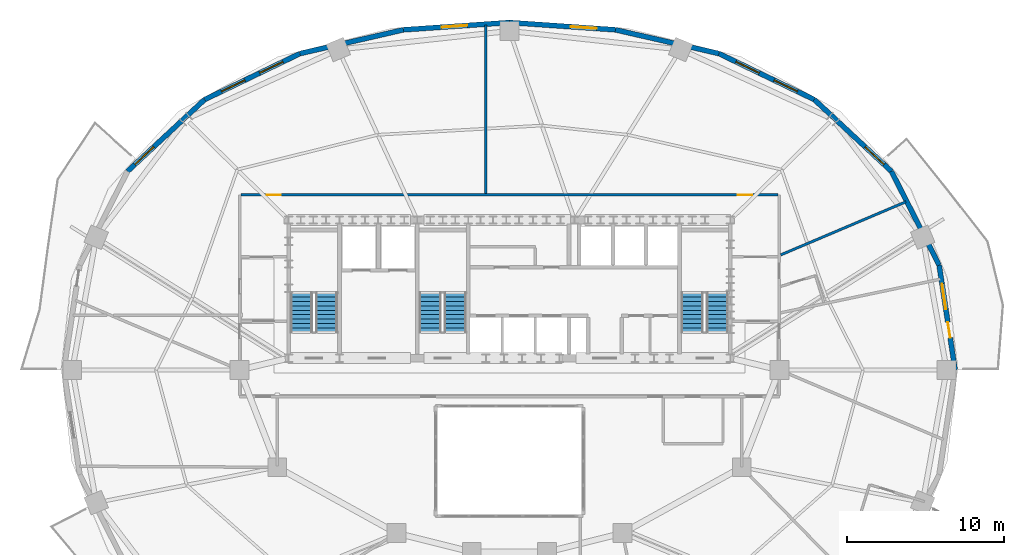
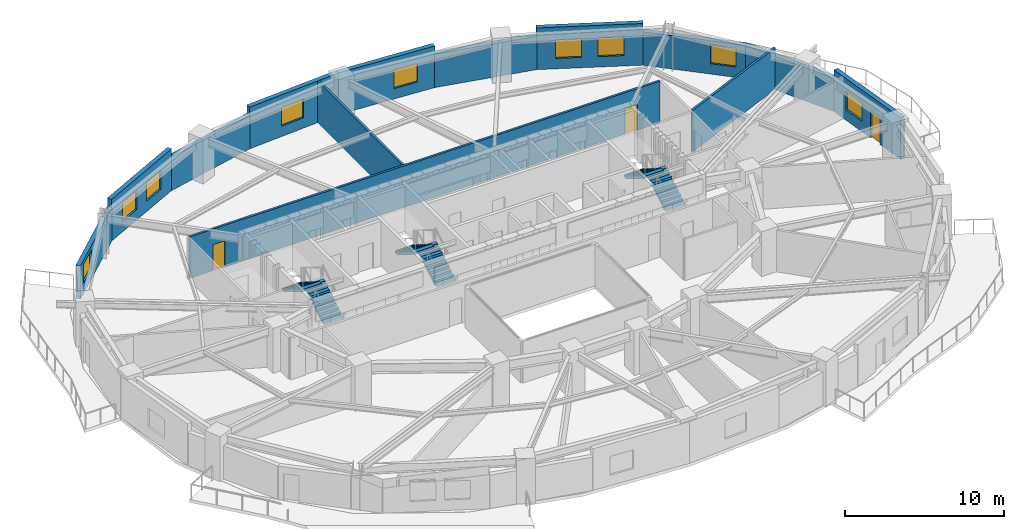
# One storey, part 9 of 12: 13 walls, 9 windows, 6 stair flights, 3 doors, 12 openings, 3 elements without a shape of their own.
"""IFC4 building model written with IfcOpenShell, lengths in metres."""

from ifc_helpers import new_model, si_unit, direction, frame, frame_2d, origin, place, context, subcontext, project, spatial, polyline, rectangle, outline, extrude, material, layer, layer_set, type_object, element, fill, aggregate, save


model = new_model("IFC4")

# Units and contexts
model_context = context("Model", 3, precision=1e-05, world=origin(), true_north=direction((0.0, 1.0)))
body_context = subcontext(model_context, "Body", "Model", "MODEL_VIEW")
ifc_project = project(units=[si_unit("LENGTHUNIT", "METRE"), si_unit("AREAUNIT", "SQUARE_METRE"), si_unit("VOLUMEUNIT", "CUBIC_METRE"), si_unit("PLANEANGLEUNIT", "RADIAN"), si_unit("MASSUNIT", "GRAM", prefix="KILO")], contexts=[model_context])

# Site, building, storey
site_placement = place(None, origin())
site = spatial("IfcSite", under=ifc_project, at=site_placement, CompositionType="ELEMENT")
building_placement = place(site_placement, origin())
building = spatial("IfcBuilding", under=site, at=building_placement, Name="Haldorwick Loom Tower", CompositionType="ELEMENT")
storey_placement = place(building_placement, frame((0.0, 0.0, 113.89990234375)))
storey = spatial("IfcBuildingStorey", under=building, at=storey_placement, Name="L30", CompositionType="ELEMENT", Elevation=113.89990234375)

# Wall, openings, door, window
ifc_material_1 = material(Name="Pressed Clay Face Brick and Insulated Masonry Backup Assembly", Category="masonry")
ifc_layer_1 = layer(ifc_material_1, 0.320068359375, Name="Pressed Clay Face Brick and Insulated Masonry Backup Assembly", Category="masonry")
ifc_layer_set_1 = layer_set([ifc_layer_1], Name="Pressed Clay Face Brick and Insulated Masonry Backup Assembly")
wall_type_1 = type_object("IfcWallType", Name="ARC-WL-EXT320", PredefinedType="STANDARD", material=ifc_layer_set_1)
wall_1_placement = place(storey_placement, frame((64.397705078125, 26.0, 0.0), z_axis=(0.0, 0.0, 1.0), x_axis=(-0.150633288003, 0.988589708901, 0.0)))
wall_1 = element("IfcWall", 1, at=wall_1_placement, inside=storey, type_object=wall_type_1, Name="L30 Brick Pier and Spandrel Wall 1", PredefinedType="STANDARD", context=body_context, shape_type="SweptSolid", body=[
    extrude(rectangle(XDim=6.752197265625, YDim=0.320068359375, at=frame_2d((3.3759765625, 0.0))), origin(), (0.0, 0.0, 1.0), 3.210205078125),
])
opening_1_placement = place(wall_1_placement, frame((2.070556640625, 0.0, 0.0)))
opening_1 = element("IfcOpeningElement", 2, at=opening_1_placement, cuts=wall_1, Name="Opening D-BL10", PredefinedType="OPENING", context=body_context, shape_type="SweptSolid", body=[
    extrude(rectangle(XDim=1.0, YDim=2.0400390625, at=frame_2d((0.5, 1.02001953125))), frame((0.0, 0.169921875, 0.0), z_axis=(0.0, -1.0, 0.0), x_axis=(1.0, 0.0, 0.0)), (0.0, 0.0, 1.0), 0.340087890625),
])
opening_2_placement = place(wall_1_placement, frame((3.9013671875, 0.0, 0.800048828125)))
opening_2 = element("IfcOpeningElement", 3, at=opening_2_placement, cuts=wall_1, Name="Opening W-01B", PredefinedType="OPENING", context=body_context, shape_type="SweptSolid", body=[
    extrude(rectangle(XDim=1.64990234375, YDim=1.449951171875, at=frame_2d((0.824951171875, 0.72509765625))), frame((0.0, 0.169921875, 0.0), z_axis=(0.0, -1.0, 0.0), x_axis=(1.0, 0.0, 0.0)), (0.0, 0.0, 1.0), 0.340087890625),
])
ifc_material_2 = material(Name="Thermally Broken Anodized Aluminium Curtain Wall Framing", Category="aluminium")
door_type_1 = type_object("IfcDoorType", Name="ARC-DR-BAL100", OperationType="NOTDEFINED", PredefinedType="DOOR", material=ifc_material_2)
door_1_placement = place(opening_1_placement, origin())
door_1 = element("IfcDoor", 4, at=door_1_placement, inside=storey, type_object=door_type_1, Name="L30 Outdoor Terrace Door SLB-L30-BAL_ENE", OperationType="SINGLE_SWING_RIGHT", OverallHeight=2.0400390625, OverallWidth=1.0, PredefinedType="DOOR", context=body_context, shape_type="SweptSolid", body=[
    extrude(rectangle(XDim=1.0, YDim=2.0400390625, at=frame_2d((0.5, 1.02001953125))), frame((0.0, 0.02490234375, 0.0), z_axis=(0.0, -1.0, 0.0), x_axis=(1.0, 0.0, 0.0)), (0.0, 0.0, 1.0), 0.050048828125),
])
fill(opening_1, door_1)
ifc_material_3 = material(Name="Triple-Glazed Low-E Argon Insulated Glazing Unit", Category="glass")
window_type = type_object("IfcWindowType", Name="ARC-WIN-W165", PartitioningType="SINGLE_PANEL", PredefinedType="WINDOW", material=ifc_material_3)
window_1_placement = place(opening_2_placement, origin())
window_1 = element("IfcWindow", 5, at=window_1_placement, inside=storey, type_object=window_type, Name="L30 Deep-Set Zone 7A Window 1", OverallHeight=1.449951171875, OverallWidth=1.64990234375, PartitioningType="SINGLE_PANEL", PredefinedType="WINDOW", context=body_context, shape_type="SweptSolid", body=[
    extrude(rectangle(XDim=1.64990234375, YDim=1.449951171875, at=frame_2d((0.824951171875, 0.72509765625))), frame((0.0, 0.030029296875, 0.0), z_axis=(0.0, -1.0, 0.0), x_axis=(1.0, 0.0, 0.0)), (0.0, 0.0, 1.0), 0.06005859375),
])
fill(opening_2, window_1)

# Wall
wall_2_placement = place(storey_placement, frame((63.380615234375, 32.675048828125, 0.0), z_axis=(0.0, 0.0, 1.0), x_axis=(-0.453374078001, 0.89132033826, 0.0)))
element("IfcWall", 6, at=wall_2_placement, inside=storey, type_object=wall_type_1, Name="L30 Brick Pier and Spandrel Wall 2", PredefinedType="STANDARD", context=body_context, shape_type="SweptSolid", body=[
    extrude(rectangle(XDim=6.709716796875, YDim=0.320068359375, at=frame_2d((3.35498046875, 0.0))), origin(), (0.0, 0.0, 1.0), 2.569091796875),
])

# Wall, opening, window
wall_3_placement = place(storey_placement, frame((60.338623046875, 38.655517578125, 0.0), z_axis=(0.0, 0.0, 1.0), x_axis=(-0.732137360086, 0.681157020052, 0.0)))
wall_3 = element("IfcWall", 7, at=wall_3_placement, inside=storey, type_object=wall_type_1, Name="L30 Brick Pier and Spandrel Wall 3", PredefinedType="STANDARD", context=body_context, shape_type="SweptSolid", body=[
    extrude(rectangle(XDim=6.709228515625, YDim=0.320068359375, at=frame_2d((3.3544921875, 0.0))), origin(), (0.0, 0.0, 1.0), 2.569091796875),
])
opening_3_placement = place(wall_3_placement, frame((0.639892578125, 0.0, 0.800048828125)))
opening_3 = element("IfcOpeningElement", 8, at=opening_3_placement, cuts=wall_3, Name="Opening W-01B", PredefinedType="OPENING", context=body_context, shape_type="SweptSolid", body=[
    extrude(rectangle(XDim=1.64990234375, YDim=1.449951171875, at=frame_2d((0.824951171875, 0.72509765625))), frame((0.0, 0.169921875, 0.0), z_axis=(0.0, -1.0, 0.0), x_axis=(1.0, 0.0, 0.0)), (0.0, 0.0, 1.0), 0.340087890625),
])
window_2_placement = place(opening_3_placement, origin())
window_2 = element("IfcWindow", 9, at=window_2_placement, inside=storey, type_object=window_type, Name="L30 Deep-Set Zone 7A Window 3", OverallHeight=1.449951171875, OverallWidth=1.64990234375, PartitioningType="SINGLE_PANEL", PredefinedType="WINDOW", context=body_context, shape_type="SweptSolid", body=[
    extrude(rectangle(XDim=1.64990234375, YDim=1.449951171875, at=frame_2d((0.824951171875, 0.72509765625))), frame((0.0, 0.030029296875, 0.0), z_axis=(0.0, -1.0, 0.0), x_axis=(1.0, 0.0, 0.0)), (0.0, 0.0, 1.0), 0.06005859375),
])
fill(opening_3, window_2)

# Wall, openings, windows
wall_4_placement = place(storey_placement, frame((55.426513671875, 43.2255859375, 0.0), z_axis=(0.0, 0.0, 1.0), x_axis=(-0.900510094661, 0.434835106004, 0.0)))
wall_4 = element("IfcWall", 10, at=wall_4_placement, inside=storey, type_object=wall_type_1, Name="L30 Brick Pier and Spandrel Wall 4", PredefinedType="STANDARD", context=body_context, shape_type="SweptSolid", body=[
    extrude(rectangle(XDim=6.744873046875, YDim=0.320068359375, at=frame_2d((3.37255859375, 0.0))), origin(), (0.0, 0.0, 1.0), 3.210205078125),
])
opening_4_placement = place(wall_4_placement, frame((1.198486328125, 0.0, 0.800048828125)))
opening_4 = element("IfcOpeningElement", 11, at=opening_4_placement, cuts=wall_4, Name="Opening W-01B", PredefinedType="OPENING", context=body_context, shape_type="SweptSolid", body=[
    extrude(rectangle(XDim=1.64990234375, YDim=1.449951171875, at=frame_2d((0.824951171875, 0.72509765625))), frame((0.0, 0.169921875, 0.0), z_axis=(0.0, -1.0, 0.0), x_axis=(1.0, 0.0, 0.0)), (0.0, 0.0, 1.0), 0.340087890625),
])
opening_5_placement = place(wall_4_placement, frame((3.896484375, 0.0, 0.800048828125)))
opening_5 = element("IfcOpeningElement", 12, at=opening_5_placement, cuts=wall_4, Name="Opening W-01B", PredefinedType="OPENING", context=body_context, shape_type="SweptSolid", body=[
    extrude(rectangle(XDim=1.64990234375, YDim=1.449951171875, at=frame_2d((0.824951171875, 0.72509765625))), frame((0.0, 0.169921875, 0.0), z_axis=(0.0, -1.0, 0.0), x_axis=(1.0, 0.0, 0.0)), (0.0, 0.0, 1.0), 0.340087890625),
])
window_3_placement = place(opening_4_placement, origin())
window_3 = element("IfcWindow", 13, at=window_3_placement, inside=storey, type_object=window_type, Name="L30 Deep-Set Zone 7A Window 4", OverallHeight=1.449951171875, OverallWidth=1.64990234375, PartitioningType="SINGLE_PANEL", PredefinedType="WINDOW", context=body_context, shape_type="SweptSolid", body=[
    extrude(rectangle(XDim=1.64990234375, YDim=1.449951171875, at=frame_2d((0.824951171875, 0.72509765625))), frame((0.0, 0.030029296875, 0.0), z_axis=(0.0, -1.0, 0.0), x_axis=(1.0, 0.0, 0.0)), (0.0, 0.0, 1.0), 0.06005859375),
])
fill(opening_4, window_3)
window_4_placement = place(opening_5_placement, origin())
window_4 = element("IfcWindow", 14, at=window_4_placement, inside=storey, type_object=window_type, Name="L30 Deep-Set Zone 7A Window 4", OverallHeight=1.449951171875, OverallWidth=1.64990234375, PartitioningType="SINGLE_PANEL", PredefinedType="WINDOW", context=body_context, shape_type="SweptSolid", body=[
    extrude(rectangle(XDim=1.64990234375, YDim=1.449951171875, at=frame_2d((0.824951171875, 0.72509765625))), frame((0.0, 0.030029296875, 0.0), z_axis=(0.0, -1.0, 0.0), x_axis=(1.0, 0.0, 0.0)), (0.0, 0.0, 1.0), 0.06005859375),
])
fill(opening_5, window_4)

# Wall
wall_5_placement = place(storey_placement, frame((49.352783203125, 46.158447265625, 0.0), z_axis=(0.0, 0.0, 1.0), x_axis=(-0.974584177714, 0.224021607329, 0.0)))
element("IfcWall", 15, at=wall_5_placement, inside=storey, type_object=wall_type_1, Name="L30 Brick Pier and Spandrel Wall 5", PredefinedType="STANDARD", context=body_context, shape_type="SweptSolid", body=[
    extrude(rectangle(XDim=6.767822265625, YDim=0.320068359375, at=frame_2d((3.3837890625, 0.0))), origin(), (0.0, 0.0, 1.0), 2.569091796875),
])

# Wall, opening, window
wall_6_placement = place(storey_placement, frame((42.757080078125, 47.674560546875, 0.0), z_axis=(0.0, 0.0, 1.0), x_axis=(-0.997651949344, 0.068487867318, 0.0)))
wall_6 = element("IfcWall", 16, at=wall_6_placement, inside=storey, type_object=wall_type_1, Name="L30 Brick Pier and Spandrel Wall 6", PredefinedType="STANDARD", context=body_context, shape_type="SweptSolid", body=[
    extrude(rectangle(XDim=6.77294921875, YDim=0.320068359375, at=frame_2d((3.386474609375, 0.0))), origin(), (0.0, 0.0, 1.0), 3.210205078125),
])
opening_6_placement = place(wall_6_placement, frame((1.206787109375, 0.0, 0.800048828125)))
opening_6 = element("IfcOpeningElement", 17, at=opening_6_placement, cuts=wall_6, Name="Opening W-01B", PredefinedType="OPENING", context=body_context, shape_type="SweptSolid", body=[
    extrude(rectangle(XDim=1.64990234375, YDim=1.449951171875, at=frame_2d((0.824951171875, 0.72509765625))), frame((0.0, 0.169921875, 0.0), z_axis=(0.0, -1.0, 0.0), x_axis=(1.0, 0.0, 0.0)), (0.0, 0.0, 1.0), 0.340087890625),
])
window_5_placement = place(opening_6_placement, origin())
window_5 = element("IfcWindow", 18, at=window_5_placement, inside=storey, type_object=window_type, Name="L30 Deep-Set Zone 7A Window 6", OverallHeight=1.449951171875, OverallWidth=1.64990234375, PartitioningType="SINGLE_PANEL", PredefinedType="WINDOW", context=body_context, shape_type="SweptSolid", body=[
    extrude(rectangle(XDim=1.64990234375, YDim=1.449951171875, at=frame_2d((0.824951171875, 0.72509765625))), frame((0.0, 0.030029296875, 0.0), z_axis=(0.0, -1.0, 0.0), x_axis=(1.0, 0.0, 0.0)), (0.0, 0.0, 1.0), 0.06005859375),
])
fill(opening_6, window_5)

wall_7_placement = place(storey_placement, frame((36.0, 48.138427734375, 0.0), z_axis=(0.0, 0.0, 1.0), x_axis=(-0.997651949344, -0.068487867318, 0.0)))
wall_7 = element("IfcWall", 19, at=wall_7_placement, inside=storey, type_object=wall_type_1, Name="L30 Brick Pier and Spandrel Wall 7", PredefinedType="STANDARD", context=body_context, shape_type="SweptSolid", body=[
    extrude(rectangle(XDim=6.77294921875, YDim=0.320068359375, at=frame_2d((3.386474609375, 0.0))), origin(), (0.0, 0.0, 1.0), 3.210205078125),
])
opening_7_placement = place(wall_7_placement, frame((2.681640625, 0.0, 0.800048828125)))
opening_7 = element("IfcOpeningElement", 20, at=opening_7_placement, cuts=wall_7, Name="Opening W-01B", PredefinedType="OPENING", context=body_context, shape_type="SweptSolid", body=[
    extrude(rectangle(XDim=1.64990234375, YDim=1.449951171875, at=frame_2d((0.824951171875, 0.72509765625))), frame((0.0, 0.169921875, 0.0), z_axis=(0.0, -1.0, 0.0), x_axis=(1.0, 0.0, 0.0)), (0.0, 0.0, 1.0), 0.340087890625),
])
window_6_placement = place(opening_7_placement, origin())
window_6 = element("IfcWindow", 21, at=window_6_placement, inside=storey, type_object=window_type, Name="L30 Deep-Set Zone 7A Window 7", OverallHeight=1.449951171875, OverallWidth=1.64990234375, PartitioningType="SINGLE_PANEL", PredefinedType="WINDOW", context=body_context, shape_type="SweptSolid", body=[
    extrude(rectangle(XDim=1.64990234375, YDim=1.449951171875, at=frame_2d((0.824951171875, 0.72509765625))), frame((0.0, 0.030029296875, 0.0), z_axis=(0.0, -1.0, 0.0), x_axis=(1.0, 0.0, 0.0)), (0.0, 0.0, 1.0), 0.06005859375),
])
fill(opening_7, window_6)

# Wall
wall_8_placement = place(storey_placement, frame((29.242919921875, 47.674560546875, 0.0), z_axis=(0.0, 0.0, 1.0), x_axis=(-0.974584177714, -0.224021607329, 0.0)))
element("IfcWall", 22, at=wall_8_placement, inside=storey, type_object=wall_type_1, Name="L30 Brick Pier and Spandrel Wall 8", PredefinedType="STANDARD", context=body_context, shape_type="SweptSolid", body=[
    extrude(rectangle(XDim=6.767822265625, YDim=0.320068359375, at=frame_2d((3.3837890625, 0.0))), origin(), (0.0, 0.0, 1.0), 2.569091796875),
])

# Wall, openings, windows
wall_9_placement = place(storey_placement, frame((22.647216796875, 46.158447265625, 0.0), z_axis=(0.0, 0.0, 1.0), x_axis=(-0.900510094661, -0.434835106004, 0.0)))
wall_9 = element("IfcWall", 23, at=wall_9_placement, inside=storey, type_object=wall_type_1, Name="L30 Brick Pier and Spandrel Wall 9", PredefinedType="STANDARD", context=body_context, shape_type="SweptSolid", body=[
    extrude(rectangle(XDim=6.744873046875, YDim=0.320068359375, at=frame_2d((3.37255859375, 0.0))), origin(), (0.0, 0.0, 1.0), 3.210205078125),
])
opening_8_placement = place(wall_9_placement, frame((1.198486328125, 0.0, 0.800048828125)))
opening_8 = element("IfcOpeningElement", 24, at=opening_8_placement, cuts=wall_9, Name="Opening W-01B", PredefinedType="OPENING", context=body_context, shape_type="SweptSolid", body=[
    extrude(rectangle(XDim=1.64990234375, YDim=1.449951171875, at=frame_2d((0.824951171875, 0.72509765625))), frame((0.0, 0.169921875, 0.0), z_axis=(0.0, -1.0, 0.0), x_axis=(1.0, 0.0, 0.0)), (0.0, 0.0, 1.0), 0.340087890625),
])
opening_9_placement = place(wall_9_placement, frame((3.896484375, 0.0, 0.800048828125)))
opening_9 = element("IfcOpeningElement", 25, at=opening_9_placement, cuts=wall_9, Name="Opening W-01B", PredefinedType="OPENING", context=body_context, shape_type="SweptSolid", body=[
    extrude(rectangle(XDim=1.64990234375, YDim=1.449951171875, at=frame_2d((0.824951171875, 0.72509765625))), frame((0.0, 0.169921875, 0.0), z_axis=(0.0, -1.0, 0.0), x_axis=(1.0, 0.0, 0.0)), (0.0, 0.0, 1.0), 0.340087890625),
])
window_7_placement = place(opening_8_placement, origin())
window_7 = element("IfcWindow", 26, at=window_7_placement, inside=storey, type_object=window_type, Name="L30 Deep-Set Zone 7A Window 9", OverallHeight=1.449951171875, OverallWidth=1.64990234375, PartitioningType="SINGLE_PANEL", PredefinedType="WINDOW", context=body_context, shape_type="SweptSolid", body=[
    extrude(rectangle(XDim=1.64990234375, YDim=1.449951171875, at=frame_2d((0.824951171875, 0.72509765625))), frame((0.0, 0.030029296875, 0.0), z_axis=(0.0, -1.0, 0.0), x_axis=(1.0, 0.0, 0.0)), (0.0, 0.0, 1.0), 0.06005859375),
])
fill(opening_8, window_7)
window_8_placement = place(opening_9_placement, origin())
window_8 = element("IfcWindow", 27, at=window_8_placement, inside=storey, type_object=window_type, Name="L30 Deep-Set Zone 7A Window 9", OverallHeight=1.449951171875, OverallWidth=1.64990234375, PartitioningType="SINGLE_PANEL", PredefinedType="WINDOW", context=body_context, shape_type="SweptSolid", body=[
    extrude(rectangle(XDim=1.64990234375, YDim=1.449951171875, at=frame_2d((0.824951171875, 0.72509765625))), frame((0.0, 0.030029296875, 0.0), z_axis=(0.0, -1.0, 0.0), x_axis=(1.0, 0.0, 0.0)), (0.0, 0.0, 1.0), 0.06005859375),
])
fill(opening_9, window_8)

# Wall, opening, window
wall_10_placement = place(storey_placement, frame((16.573486328125, 43.2255859375, 0.0), z_axis=(0.0, 0.0, 1.0), x_axis=(-0.732137360086, -0.681157020052, 0.0)))
wall_10 = element("IfcWall", 28, at=wall_10_placement, inside=storey, type_object=wall_type_1, Name="L30 Brick Pier and Spandrel Wall 10", PredefinedType="STANDARD", context=body_context, shape_type="SweptSolid", body=[
    extrude(rectangle(XDim=6.709228515625, YDim=0.320068359375, at=frame_2d((3.3544921875, 0.0))), origin(), (0.0, 0.0, 1.0), 2.569091796875),
])
opening_10_placement = place(wall_10_placement, frame((4.41943359375, 0.0, 0.800048828125)))
opening_10 = element("IfcOpeningElement", 29, at=opening_10_placement, cuts=wall_10, Name="Opening W-01B", PredefinedType="OPENING", context=body_context, shape_type="SweptSolid", body=[
    extrude(rectangle(XDim=1.64990234375, YDim=1.449951171875, at=frame_2d((0.824951171875, 0.72509765625))), frame((0.0, 0.169921875, 0.0), z_axis=(0.0, -1.0, 0.0), x_axis=(1.0, 0.0, 0.0)), (0.0, 0.0, 1.0), 0.340087890625),
])
window_9_placement = place(opening_10_placement, origin())
window_9 = element("IfcWindow", 30, at=window_9_placement, inside=storey, type_object=window_type, Name="L30 Deep-Set Zone 7A Window 10", OverallHeight=1.449951171875, OverallWidth=1.64990234375, PartitioningType="SINGLE_PANEL", PredefinedType="WINDOW", context=body_context, shape_type="SweptSolid", body=[
    extrude(rectangle(XDim=1.64990234375, YDim=1.449951171875, at=frame_2d((0.824951171875, 0.72509765625))), frame((0.0, 0.030029296875, 0.0), z_axis=(0.0, -1.0, 0.0), x_axis=(1.0, 0.0, 0.0)), (0.0, 0.0, 1.0), 0.06005859375),
])
fill(opening_10, window_9)

# Wall, openings, doors
ifc_material_4 = material(Name="Fire-Rated Type X Gypsum Stud Assembly EI 60")
ifc_layer_2 = layer(ifc_material_4, 0.159912109375, Name="Fire-Rated Type X Gypsum Stud Assembly EI 60")
ifc_layer_set_2 = layer_set([ifc_layer_2], Name="Fire-Rated Type X Gypsum Stud Assembly EI 60")
wall_type_2 = type_object("IfcWallType", Name="ARC-WL-FIRE160", PredefinedType="PARTITIONING", material=ifc_layer_set_2)
wall_11_placement = place(storey_placement, frame((18.883056640625, 37.14990234375, 0.0), z_axis=(0.0, 0.0, 1.0), x_axis=(1.0, 0.0, 0.0)))
wall_11 = element("IfcWall", 31, at=wall_11_placement, inside=storey, type_object=wall_type_2, Name="L30 Residential Fire Partition L30-CR-N0", PredefinedType="PARTITIONING", context=body_context, shape_type="SweptSolid", body=[
    extrude(rectangle(XDim=34.23388671875, YDim=0.159912109375, at=frame_2d((17.116943359375, 0.0))), origin(), (0.0, 0.0, 1.0), 3.195068359375),
])
opening_11_placement = place(wall_11_placement, frame((31.674560546875, 0.0, 0.0)))
opening_11 = element("IfcOpeningElement", 32, at=opening_11_placement, cuts=wall_11, Name="Opening D-FD60A", PredefinedType="OPENING", context=body_context, shape_type="SweptSolid", body=[
    extrude(rectangle(XDim=0.89990234375, YDim=2.0, at=frame_2d((0.449951171875, 1.0))), frame((0.0, 0.08984375, 0.0), z_axis=(0.0, -1.0, 0.0), x_axis=(1.0, 0.0, 0.0)), (0.0, 0.0, 1.0), 0.179931640625),
])
opening_12_placement = place(wall_11_placement, frame((1.659912109375, 0.0, 0.0)))
opening_12 = element("IfcOpeningElement", 33, at=opening_12_placement, cuts=wall_11, Name="Opening D-FD60A", PredefinedType="OPENING", context=body_context, shape_type="SweptSolid", body=[
    extrude(rectangle(XDim=0.89990234375, YDim=2.0, at=frame_2d((0.449951171875, 1.0))), frame((0.0, 0.08984375, 0.0), z_axis=(0.0, -1.0, 0.0), x_axis=(1.0, 0.0, 0.0)), (0.0, 0.0, 1.0), 0.179931640625),
])
ifc_material_5 = material(Name="Hollow Steel Fire Door Assembly", Category="steel")
door_type_2 = type_object("IfcDoorType", Name="ARC-DR-FD60-90", OperationType="NOTDEFINED", PredefinedType="DOOR", material=ifc_material_5)
door_2_placement = place(opening_11_placement, frame((0.89990234375, 0.0, 0.0), z_axis=(0.0, 0.0, 1.0), x_axis=(-1.0, 0.0, 0.0)))
door_2 = element("IfcDoor", 34, at=door_2_placement, inside=storey, type_object=door_type_2, Name="L30 Tenant Seminar Meeting Room 9 to L30 North Residential Corridor Door", OperationType="SINGLE_SWING_RIGHT", OverallHeight=2.0, OverallWidth=0.89990234375, PredefinedType="DOOR", context=body_context, shape_type="SweptSolid", body=[
    extrude(rectangle(XDim=0.89990234375, YDim=2.0, at=frame_2d((0.449951171875, 1.0))), frame((0.0, 0.02490234375, 0.0), z_axis=(0.0, -1.0, 0.0), x_axis=(1.0, 0.0, 0.0)), (0.0, 0.0, 1.0), 0.050048828125),
])
fill(opening_11, door_2)
door_3_placement = place(opening_12_placement, frame((0.89990234375, 0.0, 0.0), z_axis=(0.0, 0.0, 1.0), x_axis=(-1.0, 0.0, 0.0)))
door_3 = element("IfcDoor", 35, at=door_3_placement, inside=storey, type_object=door_type_2, Name="L30 Tenant Seminar Meeting Room 6 to L30 North Residential Corridor Door", OperationType="SINGLE_SWING_LEFT", OverallHeight=2.0, OverallWidth=0.89990234375, PredefinedType="DOOR", context=body_context, shape_type="SweptSolid", body=[
    extrude(rectangle(XDim=0.89990234375, YDim=2.0, at=frame_2d((0.449951171875, 1.0))), frame((0.0, 0.02490234375, 0.0), z_axis=(0.0, -1.0, 0.0), x_axis=(1.0, 0.0, 0.0)), (0.0, 0.0, 1.0), 0.050048828125),
])
fill(opening_12, door_3)

# Walls
wall_12_placement = place(storey_placement, frame((34.5, 37.23291015625, 0.0), z_axis=(0.0, 0.0, 1.0), x_axis=(0.0, 1.0, 0.0)))
element("IfcWall", 36, at=wall_12_placement, inside=storey, type_object=wall_type_2, Name="L30 Residential Fire Partition L30-NBP-0", PredefinedType="PARTITIONING", context=body_context, shape_type="SweptSolid", body=[
    extrude(rectangle(XDim=10.7373046875, YDim=0.159912109375, at=frame_2d((5.36865234375, 0.0))), origin(), (0.0, 0.0, 1.0), 3.195068359375),
])
wall_13_placement = place(storey_placement, frame((53.282958984375, 33.330078125, 0.0), z_axis=(0.0, 0.0, 1.0), x_axis=(0.920630308553, 0.390435442772, 0.0)))
element("IfcWall", 37, at=wall_13_placement, inside=storey, type_object=wall_type_2, Name="L30 Suite Split Wall", PredefinedType="PARTITIONING", context=body_context, shape_type="SweptSolid", body=[
    extrude(rectangle(XDim=8.6591796875, YDim=0.159912109375, at=frame_2d((4.32958984375, 0.0))), origin(), (0.0, 0.0, 1.0), 3.195068359375),
])

# Stair, stair flights
ifc_material_6 = material(Name="Concrete C40 (40 MPa)", Category="concrete")
stair_type = type_object("IfcStairType", Name="STR-STR-CORE", PredefinedType="HALF_TURN_STAIR", material=ifc_material_6)
stair_1_placement = place(storey_placement, origin())
stair_1 = element("IfcStair", 38, at=stair_1_placement, inside=storey, type_object=stair_type, Name="L30 Exit Stair ST-01", PredefinedType="HALF_TURN_STAIR")
stair_flight_type = type_object("IfcStairFlightType", Name="STR-STF-1250", PredefinedType="STRAIGHT", material=ifc_material_6)
stair_flight_1_placement = place(storey_placement, frame((24.35009765625, 28.39990234375, 0.0), z_axis=(0.0, 0.0, 1.0), x_axis=(0.0, 1.0, 0.0)))
stair_flight_1 = element("IfcStairFlight", 39, at=stair_flight_1_placement, type_object=stair_flight_type, Name="ST-01 flight 1", NumberOfRisers=10, NumberOfTreads=9, PredefinedType="STRAIGHT", RiserHeight=0.1725, TreadLength=0.28, context=body_context, shape_type="SweptSolid", body=[
    extrude(outline(polyline([(0.0, 0.0), (0.0, 0.172607421875), (0.280029296875, 0.172607421875), (0.280029296875, 0.344970703125), (0.56005859375, 0.344970703125), (0.56005859375, 0.517578125), (0.840087890625, 0.517578125), (0.840087890625, 0.68994140625), (1.1201171875, 0.68994140625), (1.1201171875, 0.862548828125), (1.39990234375, 0.862548828125), (1.39990234375, 1.034912109375), (1.679931640625, 1.034912109375), (1.679931640625, 1.20751953125), (1.9599609375, 1.20751953125), (1.9599609375, 1.3798828125), (2.239990234375, 1.3798828125), (2.239990234375, 1.552490234375), (2.52001953125, 1.552490234375), (2.52001953125, 1.72509765625), (2.52001953125, 1.37646484375), (0.285888671875, 0.0), (0.0, 0.0)])), frame((0.0, 0.699951171875, 0.0), z_axis=(0.0, -1.0, 0.0), x_axis=(1.0, 0.0, 0.0)), (0.0, 0.0, 1.0), 1.39990234375),
])
stair_flight_2_placement = place(storey_placement, frame((22.75, 30.919921875, 1.72509765625), z_axis=(0.0, 0.0, 1.0), x_axis=(0.0, -1.0, 0.0)))
stair_flight_2 = element("IfcStairFlight", 40, at=stair_flight_2_placement, type_object=stair_flight_type, Name="ST-01 flight 2", NumberOfRisers=10, NumberOfTreads=9, PredefinedType="STRAIGHT", RiserHeight=0.1725, TreadLength=0.28, context=body_context, shape_type="SweptSolid", body=[
    extrude(outline(polyline([(0.0, 0.0), (0.0, 0.172607421875), (0.280029296875, 0.172607421875), (0.280029296875, 0.344970703125), (0.56005859375, 0.344970703125), (0.56005859375, 0.517578125), (0.840087890625, 0.517578125), (0.840087890625, 0.68994140625), (1.1201171875, 0.68994140625), (1.1201171875, 0.862548828125), (1.39990234375, 0.862548828125), (1.39990234375, 1.034912109375), (1.679931640625, 1.034912109375), (1.679931640625, 1.20751953125), (1.9599609375, 1.20751953125), (1.9599609375, 1.3798828125), (2.239990234375, 1.3798828125), (2.239990234375, 1.552490234375), (2.52001953125, 1.552490234375), (2.52001953125, 1.72509765625), (2.52001953125, 1.37646484375), (0.285888671875, 0.0), (0.0, 0.0)])), frame((0.0, 0.699951171875, 0.0), z_axis=(0.0, -1.0, 0.0), x_axis=(1.0, 0.0, 0.0)), (0.0, 0.0, 1.0), 1.39990234375),
])
aggregate(stair_1, [stair_flight_1, stair_flight_2])

stair_2_placement = place(storey_placement, origin())
stair_2 = element("IfcStair", 41, at=stair_2_placement, inside=storey, type_object=stair_type, Name="L30 Exit Stair ST-02", PredefinedType="HALF_TURN_STAIR")
stair_flight_3_placement = place(storey_placement, frame((49.25, 28.39990234375, 0.0), z_axis=(0.0, 0.0, 1.0), x_axis=(0.0, 1.0, 0.0)))
stair_flight_3 = element("IfcStairFlight", 42, at=stair_flight_3_placement, type_object=stair_flight_type, Name="ST-02 flight 1", NumberOfRisers=10, NumberOfTreads=9, PredefinedType="STRAIGHT", RiserHeight=0.1725, TreadLength=0.28, context=body_context, shape_type="SweptSolid", body=[
    extrude(outline(polyline([(0.0, 0.0), (0.0, 0.172607421875), (0.280029296875, 0.172607421875), (0.280029296875, 0.344970703125), (0.56005859375, 0.344970703125), (0.56005859375, 0.517578125), (0.840087890625, 0.517578125), (0.840087890625, 0.68994140625), (1.1201171875, 0.68994140625), (1.1201171875, 0.862548828125), (1.39990234375, 0.862548828125), (1.39990234375, 1.034912109375), (1.679931640625, 1.034912109375), (1.679931640625, 1.20751953125), (1.9599609375, 1.20751953125), (1.9599609375, 1.3798828125), (2.239990234375, 1.3798828125), (2.239990234375, 1.552490234375), (2.52001953125, 1.552490234375), (2.52001953125, 1.72509765625), (2.52001953125, 1.37646484375), (0.285888671875, 0.0), (0.0, 0.0)])), frame((0.0, 0.699951171875, 0.0), z_axis=(0.0, -1.0, 0.0), x_axis=(1.0, 0.0, 0.0)), (0.0, 0.0, 1.0), 1.39990234375),
])
stair_flight_4_placement = place(storey_placement, frame((47.64990234375, 30.919921875, 1.72509765625), z_axis=(0.0, 0.0, 1.0), x_axis=(0.0, -1.0, 0.0)))
stair_flight_4 = element("IfcStairFlight", 43, at=stair_flight_4_placement, type_object=stair_flight_type, Name="ST-02 flight 2", NumberOfRisers=10, NumberOfTreads=9, PredefinedType="STRAIGHT", RiserHeight=0.1725, TreadLength=0.28, context=body_context, shape_type="SweptSolid", body=[
    extrude(outline(polyline([(0.0, 0.0), (0.0, 0.172607421875), (0.280029296875, 0.172607421875), (0.280029296875, 0.344970703125), (0.56005859375, 0.344970703125), (0.56005859375, 0.517578125), (0.840087890625, 0.517578125), (0.840087890625, 0.68994140625), (1.1201171875, 0.68994140625), (1.1201171875, 0.862548828125), (1.39990234375, 0.862548828125), (1.39990234375, 1.034912109375), (1.679931640625, 1.034912109375), (1.679931640625, 1.20751953125), (1.9599609375, 1.20751953125), (1.9599609375, 1.3798828125), (2.239990234375, 1.3798828125), (2.239990234375, 1.552490234375), (2.52001953125, 1.552490234375), (2.52001953125, 1.72509765625), (2.52001953125, 1.37646484375), (0.285888671875, 0.0), (0.0, 0.0)])), frame((0.0, 0.699951171875, 0.0), z_axis=(0.0, -1.0, 0.0), x_axis=(1.0, 0.0, 0.0)), (0.0, 0.0, 1.0), 1.39990234375),
])
aggregate(stair_2, [stair_flight_3, stair_flight_4])

stair_3_placement = place(storey_placement, origin())
stair_3 = element("IfcStair", 44, at=stair_3_placement, inside=storey, type_object=stair_type, Name="L30 Exit Stair ST-03", PredefinedType="HALF_TURN_STAIR")
stair_flight_5_placement = place(storey_placement, frame((32.550048828125, 28.39990234375, 0.0), z_axis=(0.0, 0.0, 1.0), x_axis=(0.0, 1.0, 0.0)))
stair_flight_5 = element("IfcStairFlight", 45, at=stair_flight_5_placement, type_object=stair_flight_type, Name="ST-03 flight 1", NumberOfRisers=10, NumberOfTreads=9, PredefinedType="STRAIGHT", RiserHeight=0.1725, TreadLength=0.28, context=body_context, shape_type="SweptSolid", body=[
    extrude(outline(polyline([(0.0, 0.0), (0.0, 0.172607421875), (0.280029296875, 0.172607421875), (0.280029296875, 0.344970703125), (0.56005859375, 0.344970703125), (0.56005859375, 0.517578125), (0.840087890625, 0.517578125), (0.840087890625, 0.68994140625), (1.1201171875, 0.68994140625), (1.1201171875, 0.862548828125), (1.39990234375, 0.862548828125), (1.39990234375, 1.034912109375), (1.679931640625, 1.034912109375), (1.679931640625, 1.20751953125), (1.9599609375, 1.20751953125), (1.9599609375, 1.3798828125), (2.239990234375, 1.3798828125), (2.239990234375, 1.552490234375), (2.52001953125, 1.552490234375), (2.52001953125, 1.72509765625), (2.52001953125, 1.37646484375), (0.285888671875, 0.0), (0.0, 0.0)])), frame((0.0, 0.699951171875, 0.0), z_axis=(0.0, -1.0, 0.0), x_axis=(1.0, 0.0, 0.0)), (0.0, 0.0, 1.0), 1.39990234375),
])
stair_flight_6_placement = place(storey_placement, frame((30.949951171875, 30.919921875, 1.72509765625), z_axis=(0.0, 0.0, 1.0), x_axis=(0.0, -1.0, 0.0)))
stair_flight_6 = element("IfcStairFlight", 46, at=stair_flight_6_placement, type_object=stair_flight_type, Name="ST-03 flight 2", NumberOfRisers=10, NumberOfTreads=9, PredefinedType="STRAIGHT", RiserHeight=0.1725, TreadLength=0.28, context=body_context, shape_type="SweptSolid", body=[
    extrude(outline(polyline([(0.0, 0.0), (0.0, 0.172607421875), (0.280029296875, 0.172607421875), (0.280029296875, 0.344970703125), (0.56005859375, 0.344970703125), (0.56005859375, 0.517578125), (0.840087890625, 0.517578125), (0.840087890625, 0.68994140625), (1.1201171875, 0.68994140625), (1.1201171875, 0.862548828125), (1.39990234375, 0.862548828125), (1.39990234375, 1.034912109375), (1.679931640625, 1.034912109375), (1.679931640625, 1.20751953125), (1.9599609375, 1.20751953125), (1.9599609375, 1.3798828125), (2.239990234375, 1.3798828125), (2.239990234375, 1.552490234375), (2.52001953125, 1.552490234375), (2.52001953125, 1.72509765625), (2.52001953125, 1.37646484375), (0.285888671875, 0.0), (0.0, 0.0)])), frame((0.0, 0.699951171875, 0.0), z_axis=(0.0, -1.0, 0.0), x_axis=(1.0, 0.0, 0.0)), (0.0, 0.0, 1.0), 1.39990234375),
])
aggregate(stair_3, [stair_flight_5, stair_flight_6])

save(model, "model.ifc")
